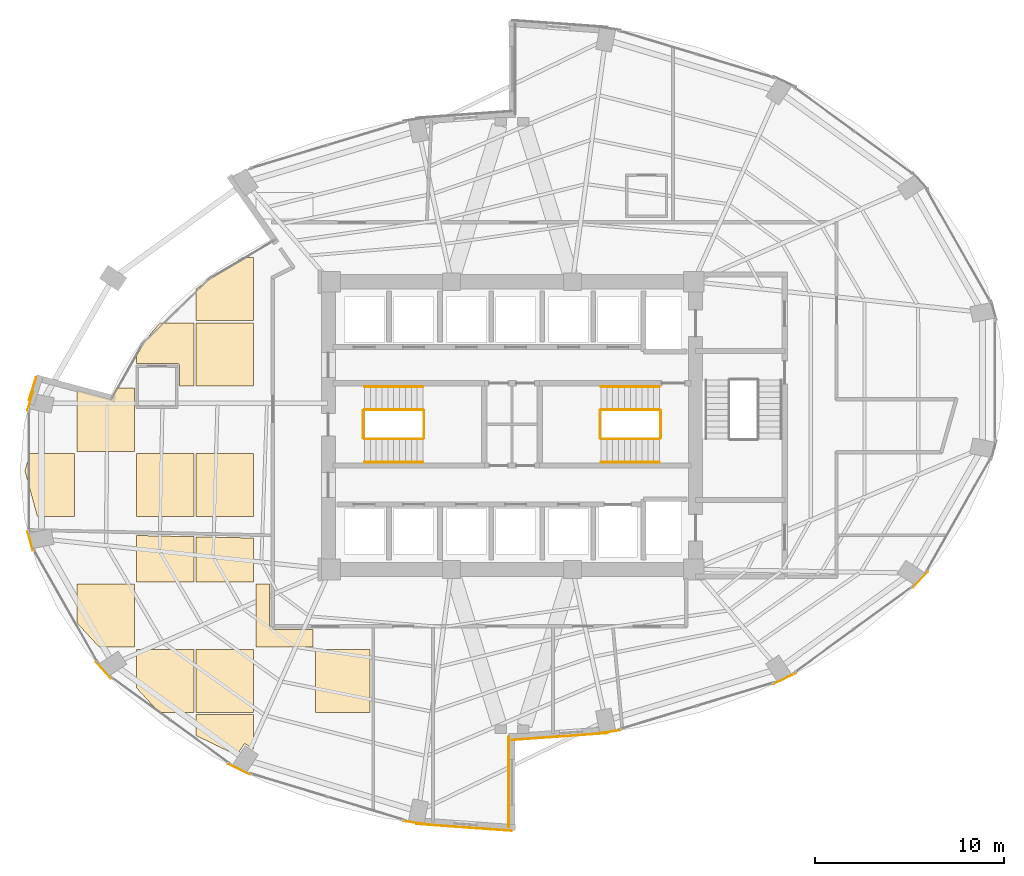
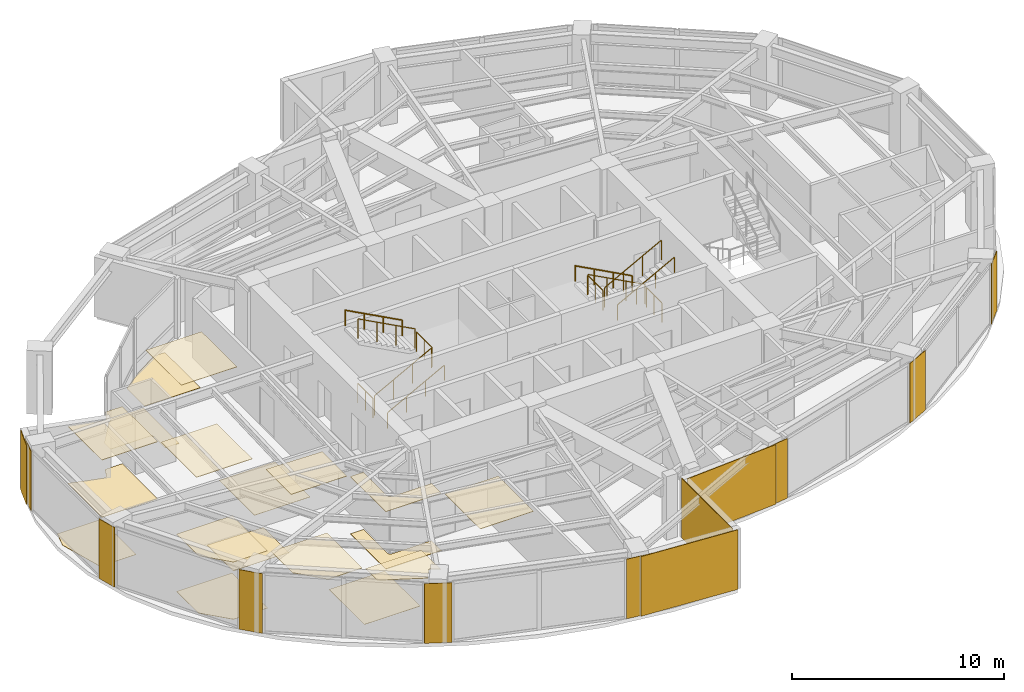
# One storey, part 23 of 24: 30 coverings, 12 railings.
"""IFC4 building model written with IfcOpenShell, lengths in metres."""

from ifc_helpers import new_model, si_unit, direction, frame, origin, origin_2d, place, context, subcontext, project, spatial, polyline, rectangle, circle, outline, extrude, material, layer, layer_set, type_object, element, save


model = new_model("IFC4")

# Units and contexts
model_context = context("Model", 3, precision=1e-05, world=origin(), true_north=direction((0.0, 1.0)))
body_context = subcontext(model_context, "Body", "Model", "MODEL_VIEW")
ifc_project = project(units=[si_unit("LENGTHUNIT", "METRE"), si_unit("AREAUNIT", "SQUARE_METRE"), si_unit("VOLUMEUNIT", "CUBIC_METRE"), si_unit("PLANEANGLEUNIT", "RADIAN"), si_unit("MASSUNIT", "GRAM", prefix="KILO")], contexts=[model_context])

# Site, building, storey
site_placement = place(None, origin())
site = spatial("IfcSite", under=ifc_project, at=site_placement, CompositionType="ELEMENT")
building_placement = place(site_placement, origin())
building = spatial("IfcBuilding", under=site, at=building_placement, Name="Lazwardi Medical Tower", CompositionType="ELEMENT")
storey_placement = place(building_placement, frame((0.0, 0.0, 114.575927734375)))
storey = spatial("IfcBuildingStorey", under=building, at=storey_placement, Name="L29", CompositionType="ELEMENT", Elevation=114.575927734375)

# Coverings
ifc_material_1 = material(Name="Anodised bronze aluminium cassette cladding", Category="aluminium")
ifc_layer_1 = layer(ifc_material_1, 0.030029296875)
ifc_layer_set_1 = layer_set([ifc_layer_1], Name="Anodised bronze aluminium cassette cladding")
covering_type_1 = type_object("IfcCoveringType", Name="COV-CLD-BRZ", PredefinedType="CLADDING", material=ifc_layer_set_1)
covering_1_placement = place(storey_placement, frame((41.064208984375, 11.80322265625, 0.0), z_axis=(0.0, 0.0, 1.0), x_axis=(0.989609019093, 0.143784523955, 0.0)))
element("IfcCovering", 1, at=covering_1_placement, inside=storey, type_object=covering_type_1, Name="L29 Mega-column bronze cassette cover M01", PredefinedType="CLADDING", context=body_context, shape_type="SweptSolid", body=[
    extrude(rectangle(XDim=1.392333984375, YDim=0.030029296875, at=origin_2d()), origin(), (0.0, 0.0, 1.0), 3.427978515625),
])
covering_2_placement = place(storey_placement, frame((50.421875, 14.634521484375, 0.0), z_axis=(0.0, 0.0, 1.0), x_axis=(0.898679250201, 0.438606435495, 0.0)))
element("IfcCovering", 2, at=covering_2_placement, inside=storey, type_object=covering_type_1, Name="L29 Mega-column bronze cassette cover M02", PredefinedType="CLADDING", context=body_context, shape_type="SweptSolid", body=[
    extrude(rectangle(XDim=1.2998046875, YDim=0.030029296875, at=origin_2d()), origin(), (0.0, 0.0, 1.0), 3.427978515625),
])
covering_3_placement = place(storey_placement, frame((57.583740234375, 19.86572265625, 0.0), z_axis=(0.0, 0.0, 1.0), x_axis=(0.674925949214, 0.737885467453, 0.0)))
element("IfcCovering", 3, at=covering_3_placement, inside=storey, type_object=covering_type_1, Name="L29 Mega-column bronze cassette cover M03", PredefinedType="CLADDING", context=body_context, shape_type="SweptSolid", body=[
    extrude(rectangle(XDim=1.15625, YDim=0.030029296875, at=origin_2d()), origin(), (0.0, 0.0, 1.0), 3.427978515625),
])
for number, where, z_axis, x_axis, name in (
    (4, (10.540283203125, 29.299072265625, 0.0), (0.0, 0.0, 1.0), (-0.262696108164, -0.964878621774, 0.0), "L29 Mega-column bronze cassette cover M12"),
    (5, (10.540283203125, 21.90087890625, 0.0), (0.0, 0.0, 1.0), (0.262696108164, -0.964878621774, 0.0), "L29 Mega-column bronze cassette cover M13"),
):
    element("IfcCovering", number, at=place(storey_placement, frame(where, z_axis=z_axis, x_axis=x_axis)), inside=storey, type_object=covering_type_1, Name=name, PredefinedType="CLADDING", context=body_context, shape_type="SweptSolid", body=[
        extrude(rectangle(XDim=1.04296875, YDim=0.030029296875, at=origin_2d()), origin(), (0.0, 0.0, 1.0), 3.427978515625),
    ])
covering_4_placement = place(storey_placement, frame((14.416259765625, 15.06591796875, 0.0), z_axis=(0.0, 0.0, 1.0), x_axis=(0.674925949214, -0.737885467453, 0.0)))
element("IfcCovering", 6, at=covering_4_placement, inside=storey, type_object=covering_type_1, Name="L29 Mega-column bronze cassette cover M14", PredefinedType="CLADDING", context=body_context, shape_type="SweptSolid", body=[
    extrude(rectangle(XDim=1.15625, YDim=0.030029296875, at=origin_2d()), origin(), (0.0, 0.0, 1.0), 3.427978515625),
])
covering_5_placement = place(storey_placement, frame((21.578125, 9.83447265625, 0.0), z_axis=(0.0, 0.0, 1.0), x_axis=(0.898679250201, -0.438606435495, 0.0)))
element("IfcCovering", 7, at=covering_5_placement, inside=storey, type_object=covering_type_1, Name="L29 Mega-column bronze cassette cover M15", PredefinedType="CLADDING", context=body_context, shape_type="SweptSolid", body=[
    extrude(rectangle(XDim=1.2998046875, YDim=0.030029296875, at=origin_2d()), origin(), (0.0, 0.0, 1.0), 3.427978515625),
])
covering_6_placement = place(storey_placement, frame((30.935791015625, 7.00341796875, 0.0), z_axis=(0.0, 0.0, 1.0), x_axis=(0.989609019093, -0.143784523955, 0.0)))
element("IfcCovering", 8, at=covering_6_placement, inside=storey, type_object=covering_type_1, Name="L29 Mega-column bronze cassette cover M16", PredefinedType="CLADDING", context=body_context, shape_type="SweptSolid", body=[
    extrude(rectangle(XDim=1.392333984375, YDim=0.030029296875, at=origin_2d()), origin(), (0.0, 0.0, 1.0), 3.427978515625),
])
ifc_material_2 = material(Name="Turquoise glazed ceramic tilework cladding", Category="masonry")
ifc_layer_2 = layer(ifc_material_2, 0.034912109375)
ifc_layer_set_2 = layer_set([ifc_layer_2], Name="Turquoise glazed ceramic tilework cladding")
covering_type_2 = type_object("IfcCoveringType", Name="COV-CLD-TRQ", PredefinedType="CLADDING", material=ifc_layer_set_2)
covering_7_placement = place(storey_placement, frame((38.533203125, 11.56591796875, 0.0), z_axis=(0.0, 0.0, 1.0), x_axis=(0.997431665415, 0.07162452672, 0.0)))
element("IfcCovering", 9, at=covering_7_placement, inside=storey, type_object=covering_type_2, Name="L29 Turquoise glazed ceramic tilework cladding", PredefinedType="CLADDING", context=body_context, shape_type="SweptSolid", body=[
    extrude(rectangle(XDim=5.05419921875, YDim=0.034912109375, at=origin_2d()), origin(), (0.0, 0.0, 1.0), 3.427978515625),
])
covering_8_placement = place(storey_placement, frame((33.466552734375, 6.76611328125, 0.0), z_axis=(0.0, 0.0, 1.0), x_axis=(0.997431165357, -0.071631490105, 0.0)))
element("IfcCovering", 10, at=covering_8_placement, inside=storey, type_object=covering_type_2, Name="L29 Turquoise glazed ceramic tilework cladding", PredefinedType="CLADDING", context=body_context, shape_type="SweptSolid", body=[
    extrude(rectangle(XDim=5.0537109375, YDim=0.034912109375, at=origin_2d()), origin(), (0.0, 0.0, 1.0), 3.427978515625),
])
covering_9_placement = place(storey_placement, frame((35.824462890625, 9.159912109375, 0.0), z_axis=(0.0, 0.0, 1.0), x_axis=(0.0, 1.0, 0.0)))
element("IfcCovering", 11, at=covering_9_placement, inside=storey, type_object=covering_type_2, Name="L29 Turquoise glazed ceramic tilework iwan panel", PredefinedType="CLADDING", context=body_context, shape_type="SweptSolid", body=[
    extrude(rectangle(XDim=4.800048828125, YDim=0.034912109375, at=origin_2d()), origin(), (0.0, 0.0, 1.0), 3.427978515625),
])
covering_10_placement = place(storey_placement, frame((10.661865234375, 29.933837890625, 0.0), z_axis=(0.0, 0.0, 1.0), x_axis=(-0.304555105539, -0.952494717933, 0.0)))
element("IfcCovering", 12, at=covering_10_placement, inside=storey, type_object=covering_type_2, Name="L29 Turquoise glazed ceramic tilework cladding", PredefinedType="CLADDING", context=body_context, shape_type="SweptSolid", body=[
    extrude(rectangle(XDim=1.26171875, YDim=0.034912109375, at=origin_2d()), origin(), (0.0, 0.0, 1.0), 3.427978515625),
])
ifc_material_3 = material(Name="Acoustic mineral fibre tile")
ifc_layer_3 = layer(ifc_material_3, 0.02490234375)
ifc_layer_set_3 = layer_set([ifc_layer_3], Name="Acoustic mineral fibre tile")
covering_type_3 = type_object("IfcCoveringType", Name="COV-CLG-01", PredefinedType="CEILING", material=ifc_layer_set_3)
covering_11_placement = place(storey_placement, frame((0.0, 0.0, 3.282958984375)))
element("IfcCovering", 13, at=covering_11_placement, inside=storey, type_object=covering_type_3, Name="L29 Clinical Acoustic Ceiling 1", PredefinedType="CEILING", context=body_context, shape_type="SweptSolid", body=[
    extrude(outline(polyline([(13.012939453125, 17.56982421875), (14.18408203125, 16.29248046875), (16.04296875, 16.29248046875), (16.04296875, 19.622314453125), (13.012939453125, 19.622314453125), (13.012939453125, 17.56982421875)])), origin(), (0.0, 0.0, 1.0), 0.025146484375),
])
covering_12_placement = place(storey_placement, frame((0.0, 0.0, 3.282958984375)))
element("IfcCovering", 14, at=covering_12_placement, inside=storey, type_object=covering_type_3, Name="L29 Clinical Acoustic Ceiling 2", PredefinedType="CEILING", context=body_context, shape_type="SweptSolid", body=[
    extrude(outline(polyline([(16.04296875, 28.943359375), (16.0419921875, 28.949951171875), (16.041259765625, 28.956787109375), (16.040771484375, 28.963623046875), (16.040771484375, 28.968505859375), (16.040771484375, 29.972412109375), (15.108154296875, 29.972412109375), (14.86083984375, 29.438232421875), (14.857177734375, 29.43115234375), (14.852783203125, 29.424560546875), (14.84765625, 29.41845703125), (14.842041015625, 29.41259765625), (14.8359375, 29.40771484375), (14.829345703125, 29.4033203125), (14.822265625, 29.3994140625), (14.814697265625, 29.396484375), (14.80712890625, 29.394287109375), (14.79931640625, 29.392578125), (14.791259765625, 29.39208984375), (14.783203125, 29.39208984375), (14.775390625, 29.392822265625), (14.767578125, 29.39453125), (13.012939453125, 29.86474609375), (13.012939453125, 26.642333984375), (16.04296875, 26.642333984375), (16.04296875, 28.943359375)])), origin(), (0.0, 0.0, 1.0), 0.025146484375),
])
covering_13_placement = place(storey_placement, frame((0.0, 0.0, 3.282958984375)))
element("IfcCovering", 15, at=covering_13_placement, inside=storey, type_object=covering_type_3, Name="L29 Clinical Acoustic Ceiling 3", PredefinedType="CEILING", context=body_context, shape_type="SweptSolid", body=[
    extrude(outline(polyline([(16.162841796875, 14.1337890625), (17.3466796875, 12.84228515625), (19.19287109375, 12.84228515625), (19.19287109375, 16.17236328125), (16.162841796875, 16.17236328125), (16.162841796875, 14.1337890625)])), origin(), (0.0, 0.0, 1.0), 0.025146484375),
])
covering_14_placement = place(storey_placement, frame((0.0, 0.0, 3.282958984375)))
element("IfcCovering", 16, at=covering_14_placement, inside=storey, type_object=covering_type_3, Name="L29 Clinical Acoustic Ceiling 4", PredefinedType="CEILING", context=body_context, shape_type="SweptSolid", body=[
    extrude(outline(polyline([(19.19287109375, 23.1923828125), (19.19287109375, 26.5224609375), (16.162841796875, 26.5224609375), (16.162841796875, 23.1923828125), (19.19287109375, 23.1923828125)])), origin(), (0.0, 0.0, 1.0), 0.025146484375),
])
covering_15_placement = place(storey_placement, frame((0.0, 0.0, 3.282958984375)))
element("IfcCovering", 17, at=covering_15_placement, inside=storey, type_object=covering_type_3, Name="L29 Clinical Acoustic Ceiling 5", PredefinedType="CEILING", context=body_context, shape_type="SweptSolid", body=[
    extrude(outline(polyline([(19.31298828125, 11.616455078125), (21.447509765625, 10.576904296875), (21.828369140625, 11.14697265625), (21.8330078125, 11.1533203125), (21.83837890625, 11.1591796875), (21.843994140625, 11.164306640625), (21.8505859375, 11.1689453125), (21.857177734375, 11.173095703125), (21.8642578125, 11.176513671875), (21.87158203125, 11.17919921875), (21.87939453125, 11.180908203125), (21.88720703125, 11.18212890625), (21.89501953125, 11.1826171875), (21.902587890625, 11.18212890625), (21.910400390625, 11.180908203125), (21.918212890625, 11.17919921875), (21.925537109375, 11.176513671875), (21.9326171875, 11.173095703125), (21.939208984375, 11.1689453125), (22.343017578125, 10.8994140625), (22.343017578125, 12.722412109375), (19.31298828125, 12.722412109375), (19.31298828125, 11.616455078125)])), origin(), (0.0, 0.0, 1.0), 0.025146484375),
])
covering_16_placement = place(storey_placement, frame((0.0, 0.0, 3.282958984375)))
element("IfcCovering", 18, at=covering_16_placement, inside=storey, type_object=covering_type_3, Name="L29 Clinical Acoustic Ceiling 6", PredefinedType="CEILING", context=body_context, shape_type="SweptSolid", body=[
    extrude(outline(polyline([(22.343017578125, 22.056396484375), (19.31298828125, 22.1220703125), (19.31298828125, 19.742431640625), (22.343017578125, 19.742431640625), (22.343017578125, 22.056396484375)])), origin(), (0.0, 0.0, 1.0), 0.025146484375),
])
covering_17_placement = place(storey_placement, frame((0.0, 0.0, 3.282958984375)))
element("IfcCovering", 19, at=covering_17_placement, inside=storey, type_object=covering_type_3, Name="L29 Clinical Acoustic Ceiling 7", PredefinedType="CEILING", context=body_context, shape_type="SweptSolid", body=[
    extrude(outline(polyline([(22.343017578125, 30.09228515625), (22.343017578125, 33.42236328125), (19.31298828125, 33.42236328125), (19.31298828125, 30.09228515625), (22.343017578125, 30.09228515625)])), origin(), (0.0, 0.0, 1.0), 0.025146484375),
])
covering_18_placement = place(storey_placement, frame((0.0, 0.0, 3.282958984375)))
element("IfcCovering", 20, at=covering_18_placement, inside=storey, type_object=covering_type_3, Name="L29 Clinical Acoustic Ceiling 8", PredefinedType="CEILING", context=body_context, shape_type="SweptSolid", body=[
    extrude(outline(polyline([(25.492919921875, 17.22509765625), (23.35009765625, 17.22509765625), (23.345703125, 17.22509765625), (23.33642578125, 17.2255859375), (23.32958984375, 17.226318359375), (23.3203125, 17.2275390625), (23.31201171875, 17.229248046875), (23.302734375, 17.2314453125), (23.2958984375, 17.233642578125), (23.287109375, 17.23681640625), (23.279296875, 17.239990234375), (23.270751953125, 17.243896484375), (23.263916015625, 17.24755859375), (23.256103515625, 17.25244140625), (23.249267578125, 17.2568359375), (23.24169921875, 17.262451171875), (23.236083984375, 17.26708984375), (23.229248046875, 17.273193359375), (23.223388671875, 17.279296875), (23.217041015625, 17.2861328125), (23.21240234375, 17.291748046875), (23.206787109375, 17.29931640625), (23.202392578125, 17.305908203125), (23.197509765625, 17.31396484375), (23.194091796875, 17.32080078125), (23.18994140625, 17.3291015625), (23.186767578125, 17.3369140625), (23.18359375, 17.345703125), (23.181396484375, 17.352783203125), (23.17919921875, 17.36181640625), (23.177490234375, 17.370361328125), (23.17626953125, 17.37939453125), (23.175537109375, 17.386474609375), (23.175048828125, 17.395751953125), (23.175048828125, 17.39990234375), (23.175048828125, 19.622314453125), (22.462890625, 19.622314453125), (22.462890625, 16.29248046875), (25.492919921875, 16.29248046875), (25.492919921875, 17.22509765625)])), origin(), (0.0, 0.0, 1.0), 0.025146484375),
])
covering_19_placement = place(storey_placement, frame((0.0, 0.0, 3.282958984375)))
element("IfcCovering", 21, at=covering_19_placement, inside=storey, type_object=covering_type_3, Name="L29 Clinical Acoustic Ceiling 10", PredefinedType="CEILING", context=body_context, shape_type="SweptSolid", body=[
    extrude(outline(polyline([(28.5048828125, 12.84228515625), (28.5048828125, 16.17236328125), (25.61279296875, 16.17236328125), (25.61279296875, 12.84228515625), (28.5048828125, 12.84228515625)])), origin(), (0.0, 0.0, 1.0), 0.025146484375),
])
ifc_material_4 = material(Name="Anti-static hospital vinyl sheet flooring")
ifc_layer_4 = layer(ifc_material_4, 0.014892578125)
ifc_layer_set_4 = layer_set([ifc_layer_4], Name="Anti-static hospital vinyl sheet flooring")
covering_type_4 = type_object("IfcCoveringType", Name="COV-FLR-01", PredefinedType="FLOORING", material=ifc_layer_set_4)
covering_20_placement = place(storey_placement, origin())
element("IfcCovering", 22, at=covering_20_placement, inside=storey, type_object=covering_type_4, Name="L29 Clinical Vinyl Flooring 1", PredefinedType="FLOORING", context=body_context, shape_type="SweptSolid", body=[
    extrude(outline(polyline([(10.5146484375, 26.5224609375), (10.262939453125, 25.60009765625), (10.919921875, 23.1923828125), (12.892822265625, 23.1923828125), (12.892822265625, 26.5224609375), (10.5146484375, 26.5224609375)])), origin(), (0.0, 0.0, 1.0), 0.01513671875),
])
covering_21_placement = place(storey_placement, origin())
element("IfcCovering", 23, at=covering_21_placement, inside=storey, type_object=covering_type_4, Name="L29 Clinical Vinyl Flooring 2", PredefinedType="FLOORING", context=body_context, shape_type="SweptSolid", body=[
    extrude(outline(polyline([(13.012939453125, 17.56982421875), (14.18408203125, 16.29248046875), (16.04296875, 16.29248046875), (16.04296875, 19.622314453125), (13.012939453125, 19.622314453125), (13.012939453125, 17.56982421875)])), origin(), (0.0, 0.0, 1.0), 0.01513671875),
])
covering_22_placement = place(storey_placement, origin())
element("IfcCovering", 24, at=covering_22_placement, inside=storey, type_object=covering_type_4, Name="L29 Clinical Vinyl Flooring 3", PredefinedType="FLOORING", context=body_context, shape_type="SweptSolid", body=[
    extrude(outline(polyline([(16.04296875, 28.943359375), (16.0419921875, 28.949951171875), (16.041259765625, 28.956787109375), (16.040771484375, 28.963623046875), (16.040771484375, 28.968505859375), (16.040771484375, 29.972412109375), (15.108154296875, 29.972412109375), (14.86083984375, 29.438232421875), (14.857177734375, 29.43115234375), (14.852783203125, 29.424560546875), (14.84765625, 29.41845703125), (14.842041015625, 29.41259765625), (14.8359375, 29.40771484375), (14.829345703125, 29.4033203125), (14.822265625, 29.3994140625), (14.814697265625, 29.396484375), (14.80712890625, 29.394287109375), (14.79931640625, 29.392578125), (14.791259765625, 29.39208984375), (14.783203125, 29.39208984375), (14.775390625, 29.392822265625), (14.767578125, 29.39453125), (13.012939453125, 29.86474609375), (13.012939453125, 26.642333984375), (16.04296875, 26.642333984375), (16.04296875, 28.943359375)])), origin(), (0.0, 0.0, 1.0), 0.01513671875),
])
covering_23_placement = place(storey_placement, origin())
element("IfcCovering", 25, at=covering_23_placement, inside=storey, type_object=covering_type_4, Name="L29 Clinical Vinyl Flooring 4", PredefinedType="FLOORING", context=body_context, shape_type="SweptSolid", body=[
    extrude(outline(polyline([(19.19287109375, 22.124755859375), (16.162841796875, 22.1904296875), (16.162841796875, 19.742431640625), (19.19287109375, 19.742431640625), (19.19287109375, 22.124755859375)])), origin(), (0.0, 0.0, 1.0), 0.01513671875),
])
covering_24_placement = place(storey_placement, origin())
element("IfcCovering", 26, at=covering_24_placement, inside=storey, type_object=covering_type_4, Name="L29 Clinical Vinyl Flooring 5", PredefinedType="FLOORING", context=body_context, shape_type="SweptSolid", body=[
    extrude(outline(polyline([(17.411865234375, 33.42236328125), (17.043212890625, 33.0283203125), (16.16357421875, 31.877197265625), (16.162841796875, 31.8759765625), (16.162841796875, 31.275634765625), (16.16552734375, 31.276123046875), (16.17236328125, 31.277099609375), (16.180419921875, 31.278076171875), (16.187255859375, 31.2783203125), (16.190673828125, 31.2783203125), (18.290771484375, 31.2783203125), (18.294189453125, 31.2783203125), (18.301025390625, 31.278076171875), (18.30908203125, 31.277099609375), (18.31591796875, 31.276123046875), (18.324462890625, 31.274658203125), (18.3310546875, 31.27294921875), (18.337646484375, 31.270751953125), (18.34423828125, 31.2685546875), (18.351318359375, 31.265625), (18.357666015625, 31.2626953125), (18.365478515625, 31.258544921875), (18.371337890625, 31.2548828125), (18.37744140625, 31.250732421875), (18.3828125, 31.24658203125), (18.388671875, 31.241943359375), (18.393798828125, 31.2373046875), (18.399658203125, 31.2314453125), (18.404296875, 31.226318359375), (18.408935546875, 31.220703125), (18.4130859375, 31.215087890625), (18.417236328125, 31.208984375), (18.4208984375, 31.203125), (18.425048828125, 31.1953125), (18.427978515625, 31.189208984375), (18.430908203125, 31.181884765625), (18.43310546875, 31.17529296875), (18.435302734375, 31.168701171875), (18.43701171875, 31.162109375), (18.4384765625, 31.15380859375), (18.439453125, 31.14697265625), (18.440185546875, 31.138916015625), (18.440673828125, 31.1318359375), (18.440673828125, 31.12841796875), (18.440673828125, 30.09228515625), (19.19287109375, 30.09228515625), (19.19287109375, 33.42236328125), (17.411865234375, 33.42236328125)])), origin(), (0.0, 0.0, 1.0), 0.01513671875),
])
covering_25_placement = place(storey_placement, origin())
element("IfcCovering", 27, at=covering_25_placement, inside=storey, type_object=covering_type_4, Name="L29 Clinical Vinyl Flooring 6", PredefinedType="FLOORING", context=body_context, shape_type="SweptSolid", body=[
    extrude(outline(polyline([(22.343017578125, 12.84228515625), (22.343017578125, 16.17236328125), (19.31298828125, 16.17236328125), (19.31298828125, 12.84228515625), (22.343017578125, 12.84228515625)])), origin(), (0.0, 0.0, 1.0), 0.01513671875),
])
covering_26_placement = place(storey_placement, origin())
element("IfcCovering", 28, at=covering_26_placement, inside=storey, type_object=covering_type_4, Name="L29 Clinical Vinyl Flooring 7", PredefinedType="FLOORING", context=body_context, shape_type="SweptSolid", body=[
    extrude(outline(polyline([(22.343017578125, 23.1923828125), (22.343017578125, 26.5224609375), (19.31298828125, 26.5224609375), (19.31298828125, 23.1923828125), (22.343017578125, 23.1923828125)])), origin(), (0.0, 0.0, 1.0), 0.01513671875),
])
covering_27_placement = place(storey_placement, origin())
element("IfcCovering", 29, at=covering_27_placement, inside=storey, type_object=covering_type_4, Name="L29 Clinical Vinyl Flooring 8", PredefinedType="FLOORING", context=body_context, shape_type="SweptSolid", body=[
    extrude(outline(polyline([(21.735107421875, 36.872314453125), (20.51708984375, 36.1123046875), (19.31298828125, 35.216796875), (19.31298828125, 33.54248046875), (22.343017578125, 33.54248046875), (22.343017578125, 36.872314453125), (21.735107421875, 36.872314453125)])), origin(), (0.0, 0.0, 1.0), 0.01513671875),
])
covering_28_placement = place(storey_placement, origin())
element("IfcCovering", 30, at=covering_28_placement, inside=storey, type_object=covering_type_4, Name="L29 Clinical Vinyl Flooring 9", PredefinedType="FLOORING", context=body_context, shape_type="SweptSolid", body=[
    extrude(outline(polyline([(25.492919921875, 17.22509765625), (23.35009765625, 17.22509765625), (23.345703125, 17.22509765625), (23.33642578125, 17.2255859375), (23.32958984375, 17.226318359375), (23.3203125, 17.2275390625), (23.31201171875, 17.229248046875), (23.302734375, 17.2314453125), (23.2958984375, 17.233642578125), (23.287109375, 17.23681640625), (23.279296875, 17.239990234375), (23.270751953125, 17.243896484375), (23.263916015625, 17.24755859375), (23.256103515625, 17.25244140625), (23.249267578125, 17.2568359375), (23.24169921875, 17.262451171875), (23.236083984375, 17.26708984375), (23.229248046875, 17.273193359375), (23.223388671875, 17.279296875), (23.217041015625, 17.2861328125), (23.21240234375, 17.291748046875), (23.206787109375, 17.29931640625), (23.202392578125, 17.305908203125), (23.197509765625, 17.31396484375), (23.194091796875, 17.32080078125), (23.18994140625, 17.3291015625), (23.186767578125, 17.3369140625), (23.18359375, 17.345703125), (23.181396484375, 17.352783203125), (23.17919921875, 17.36181640625), (23.177490234375, 17.370361328125), (23.17626953125, 17.37939453125), (23.175537109375, 17.386474609375), (23.175048828125, 17.395751953125), (23.175048828125, 17.39990234375), (23.175048828125, 19.622314453125), (22.462890625, 19.622314453125), (22.462890625, 16.29248046875), (25.492919921875, 16.29248046875), (25.492919921875, 17.22509765625)])), origin(), (0.0, 0.0, 1.0), 0.01513671875),
])

# Railings
ifc_material_5 = material(Name="Stainless steel Grade 316", Category="steel")
railing_type_1 = type_object("IfcRailingType", Name="RLG-GRD-1150", PredefinedType="GUARDRAIL", material=ifc_material_5)
railing_1_placement = place(storey_placement, frame((28.199951171875, 27.2900390625, 0.165771484375)))
element("IfcRailing", 31, at=railing_1_placement, inside=storey, type_object=railing_type_1, Name="L29 ST1 stair guard 1", PredefinedType="GUARDRAIL", context=body_context, shape_type="SweptSolid", body=[
    extrude(circle(Radius=0.02392578125, at=origin_2d()), frame((0.0, 0.0, 1.1259765625), z_axis=(0.881783298633, 0.0, 0.471654761719), x_axis=(0.0, 1.0, 0.0)), (0.0, 0.0, 1.0), 3.515625),
    extrude(circle(Radius=0.02099609375, at=origin_2d()), origin(), (0.0, 0.0, 1.0), 1.099853515625),
    extrude(circle(Radius=0.02099609375, at=origin_2d()), frame((1.033447265625, 0.0, 0.552734375)), (0.0, 0.0, 1.0), 1.099853515625),
    extrude(circle(Radius=0.02099609375, at=origin_2d()), frame((2.066650390625, 0.0, 1.10546875)), (0.0, 0.0, 1.0), 1.099853515625),
    extrude(circle(Radius=0.02099609375, at=origin_2d()), frame((3.10009765625, 0.0, 1.658203125)), (0.0, 0.0, 1.0), 1.099853515625),
])
railing_2_placement = place(storey_placement, frame((31.35009765625, 27.340087890625, 1.823974609375)))
element("IfcRailing", 32, at=railing_2_placement, inside=storey, type_object=railing_type_1, Name="L29 ST1 stair guard 2", PredefinedType="GUARDRAIL", context=body_context, shape_type="SweptSolid", body=[
    extrude(circle(Radius=0.02392578125, at=origin_2d()), frame((0.0, 0.0, 1.1259765625), z_axis=(0.0, 1.0, 0.0), x_axis=(-1.0, 0.0, 0.0)), (0.0, 0.0, 1.0), 1.43994140625),
    extrude(circle(Radius=0.02099609375, at=origin_2d()), origin(), (0.0, 0.0, 1.0), 1.099853515625),
    extrude(circle(Radius=0.02099609375, at=origin_2d()), frame((0.0, 0.719970703125, 0.0)), (0.0, 0.0, 1.0), 1.099853515625),
    extrude(circle(Radius=0.02099609375, at=origin_2d()), frame((0.0, 1.43994140625, 0.0)), (0.0, 0.0, 1.0), 1.099853515625),
])
railing_3_placement = place(storey_placement, frame((31.300048828125, 28.830078125, 1.989990234375)))
element("IfcRailing", 33, at=railing_3_placement, inside=storey, type_object=railing_type_1, Name="L29 ST1 stair guard 3", PredefinedType="GUARDRAIL", context=body_context, shape_type="SweptSolid", body=[
    extrude(circle(Radius=0.02392578125, at=origin_2d()), frame((0.0, 0.0, 1.1259765625), z_axis=(-0.881783298633, 0.0, 0.471654761719), x_axis=(0.0, -1.0, 0.0)), (0.0, 0.0, 1.0), 3.515625),
    extrude(circle(Radius=0.02099609375, at=origin_2d()), origin(), (0.0, 0.0, 1.0), 1.099853515625),
    extrude(circle(Radius=0.02099609375, at=origin_2d()), frame((-1.033447265625, 0.0, 0.552734375)), (0.0, 0.0, 1.0), 1.099853515625),
    extrude(circle(Radius=0.02099609375, at=origin_2d()), frame((-2.066650390625, 0.0, 1.10546875)), (0.0, 0.0, 1.0), 1.099853515625),
    extrude(circle(Radius=0.02099609375, at=origin_2d()), frame((-3.10009765625, 0.0, 1.658203125)), (0.0, 0.0, 1.0), 1.099853515625),
])
railing_4_placement = place(storey_placement, frame((28.14990234375, 27.340087890625, 0.0)))
element("IfcRailing", 34, at=railing_4_placement, inside=storey, type_object=railing_type_1, Name="L29 ST1 stair guard 4", PredefinedType="GUARDRAIL", context=body_context, shape_type="SweptSolid", body=[
    extrude(circle(Radius=0.02392578125, at=origin_2d()), frame((0.0, 0.0, 1.1259765625), z_axis=(0.0, 1.0, 0.0), x_axis=(-1.0, 0.0, 0.0)), (0.0, 0.0, 1.0), 1.43994140625),
    extrude(circle(Radius=0.02099609375, at=origin_2d()), origin(), (0.0, 0.0, 1.0), 1.099853515625),
    extrude(circle(Radius=0.02099609375, at=origin_2d()), frame((0.0, 0.719970703125, 0.0)), (0.0, 0.0, 1.0), 1.099853515625),
    extrude(circle(Radius=0.02099609375, at=origin_2d()), frame((0.0, 1.43994140625, 0.0)), (0.0, 0.0, 1.0), 1.099853515625),
])
railing_5_placement = place(storey_placement, frame((43.800048828125, 28.830078125, 0.165771484375)))
element("IfcRailing", 35, at=railing_5_placement, inside=storey, type_object=railing_type_1, Name="L29 ST2 stair guard 1", PredefinedType="GUARDRAIL", context=body_context, shape_type="SweptSolid", body=[
    extrude(circle(Radius=0.02392578125, at=origin_2d()), frame((0.0, 0.0, 1.1259765625), z_axis=(-0.881783298633, 0.0, 0.471654761719), x_axis=(0.0, -1.0, 0.0)), (0.0, 0.0, 1.0), 3.515625),
    extrude(circle(Radius=0.02099609375, at=origin_2d()), origin(), (0.0, 0.0, 1.0), 1.099853515625),
    extrude(circle(Radius=0.02099609375, at=origin_2d()), frame((-1.033447265625, 0.0, 0.552734375)), (0.0, 0.0, 1.0), 1.099853515625),
    extrude(circle(Radius=0.02099609375, at=origin_2d()), frame((-2.066650390625, 0.0, 1.10546875)), (0.0, 0.0, 1.0), 1.099853515625),
    extrude(circle(Radius=0.02099609375, at=origin_2d()), frame((-3.10009765625, 0.0, 1.658203125)), (0.0, 0.0, 1.0), 1.099853515625),
])
railing_6_placement = place(storey_placement, frame((40.64990234375, 28.780029296875, 1.823974609375)))
element("IfcRailing", 36, at=railing_6_placement, inside=storey, type_object=railing_type_1, Name="L29 ST2 stair guard 2", PredefinedType="GUARDRAIL", context=body_context, shape_type="SweptSolid", body=[
    extrude(circle(Radius=0.02392578125, at=origin_2d()), frame((0.0, 0.0, 1.1259765625), z_axis=(0.0, -1.0, 0.0), x_axis=(1.0, 0.0, 0.0)), (0.0, 0.0, 1.0), 1.43994140625),
    extrude(circle(Radius=0.02099609375, at=origin_2d()), origin(), (0.0, 0.0, 1.0), 1.099853515625),
    extrude(circle(Radius=0.02099609375, at=origin_2d()), frame((0.0, -0.719970703125, 0.0)), (0.0, 0.0, 1.0), 1.099853515625),
    extrude(circle(Radius=0.02099609375, at=origin_2d()), frame((0.0, -1.43994140625, 0.0)), (0.0, 0.0, 1.0), 1.099853515625),
])
railing_7_placement = place(storey_placement, frame((40.699951171875, 27.2900390625, 1.989990234375)))
element("IfcRailing", 37, at=railing_7_placement, inside=storey, type_object=railing_type_1, Name="L29 ST2 stair guard 3", PredefinedType="GUARDRAIL", context=body_context, shape_type="SweptSolid", body=[
    extrude(circle(Radius=0.02392578125, at=origin_2d()), frame((0.0, 0.0, 1.1259765625), z_axis=(0.881783298633, 0.0, 0.471654761719), x_axis=(0.0, 1.0, 0.0)), (0.0, 0.0, 1.0), 3.515625),
    extrude(circle(Radius=0.02099609375, at=origin_2d()), origin(), (0.0, 0.0, 1.0), 1.099853515625),
    extrude(circle(Radius=0.02099609375, at=origin_2d()), frame((1.033447265625, 0.0, 0.552734375)), (0.0, 0.0, 1.0), 1.099853515625),
    extrude(circle(Radius=0.02099609375, at=origin_2d()), frame((2.066650390625, 0.0, 1.10546875)), (0.0, 0.0, 1.0), 1.099853515625),
    extrude(circle(Radius=0.02099609375, at=origin_2d()), frame((3.10009765625, 0.0, 1.658203125)), (0.0, 0.0, 1.0), 1.099853515625),
])
railing_8_placement = place(storey_placement, frame((43.85009765625, 28.780029296875, 0.0)))
element("IfcRailing", 38, at=railing_8_placement, inside=storey, type_object=railing_type_1, Name="L29 ST2 stair guard 4", PredefinedType="GUARDRAIL", context=body_context, shape_type="SweptSolid", body=[
    extrude(circle(Radius=0.02392578125, at=origin_2d()), frame((0.0, 0.0, 1.1259765625), z_axis=(0.0, -1.0, 0.0), x_axis=(1.0, 0.0, 0.0)), (0.0, 0.0, 1.0), 1.43994140625),
    extrude(circle(Radius=0.02099609375, at=origin_2d()), origin(), (0.0, 0.0, 1.0), 1.099853515625),
    extrude(circle(Radius=0.02099609375, at=origin_2d()), frame((0.0, -0.719970703125, 0.0)), (0.0, 0.0, 1.0), 1.099853515625),
    extrude(circle(Radius=0.02099609375, at=origin_2d()), frame((0.0, -1.43994140625, 0.0)), (0.0, 0.0, 1.0), 1.099853515625),
])
railing_type_2 = type_object("IfcRailingType", Name="RLG-HND-920", PredefinedType="HANDRAIL", material=ifc_material_5)
railing_9_placement = place(storey_placement, frame((28.199951171875, 26.070068359375, 0.165771484375)))
element("IfcRailing", 39, at=railing_9_placement, inside=storey, type_object=railing_type_2, Name="L29 ST1 stair handrail 1", PredefinedType="HANDRAIL", context=body_context, shape_type="SweptSolid", body=[
    extrude(circle(Radius=0.02392578125, at=origin_2d()), frame((0.0, 0.0, 0.8857421875), z_axis=(0.881783298633, 0.0, 0.471654761719), x_axis=(0.0, 1.0, 0.0)), (0.0, 0.0, 1.0), 3.515625),
    extrude(circle(Radius=0.02099609375, at=origin_2d()), origin(), (0.0, 0.0, 1.0), 0.85986328125),
    extrude(circle(Radius=0.02099609375, at=origin_2d()), frame((1.033447265625, 0.0, 0.552734375)), (0.0, 0.0, 1.0), 0.85986328125),
    extrude(circle(Radius=0.02099609375, at=origin_2d()), frame((2.066650390625, 0.0, 1.10546875)), (0.0, 0.0, 1.0), 0.85986328125),
    extrude(circle(Radius=0.02099609375, at=origin_2d()), frame((3.10009765625, 0.0, 1.658203125)), (0.0, 0.0, 1.0), 0.85986328125),
])
for number, where, name in (
    (40, (31.300048828125, 30.050048828125, 1.989990234375), "L29 ST1 stair handrail 2"),
    (41, (43.800048828125, 30.050048828125, 0.165771484375), "L29 ST2 stair handrail 1"),
):
    element("IfcRailing", number, at=place(storey_placement, frame(where)), inside=storey, type_object=railing_type_2, Name=name, PredefinedType="HANDRAIL", context=body_context, shape_type="SweptSolid", body=[
        extrude(circle(Radius=0.02392578125, at=origin_2d()), frame((0.0, 0.0, 0.8857421875), z_axis=(-0.881783298633, 0.0, 0.471654761719), x_axis=(0.0, -1.0, 0.0)), (0.0, 0.0, 1.0), 3.515625),
        extrude(circle(Radius=0.02099609375, at=origin_2d()), origin(), (0.0, 0.0, 1.0), 0.85986328125),
        extrude(circle(Radius=0.02099609375, at=origin_2d()), frame((-1.033447265625, 0.0, 0.552734375)), (0.0, 0.0, 1.0), 0.85986328125),
        extrude(circle(Radius=0.02099609375, at=origin_2d()), frame((-2.066650390625, 0.0, 1.10546875)), (0.0, 0.0, 1.0), 0.85986328125),
        extrude(circle(Radius=0.02099609375, at=origin_2d()), frame((-3.10009765625, 0.0, 1.658203125)), (0.0, 0.0, 1.0), 0.85986328125),
    ])
railing_10_placement = place(storey_placement, frame((40.699951171875, 26.070068359375, 1.989990234375)))
element("IfcRailing", 42, at=railing_10_placement, inside=storey, type_object=railing_type_2, Name="L29 ST2 stair handrail 2", PredefinedType="HANDRAIL", context=body_context, shape_type="SweptSolid", body=[
    extrude(circle(Radius=0.02392578125, at=origin_2d()), frame((0.0, 0.0, 0.8857421875), z_axis=(0.881783298633, 0.0, 0.471654761719), x_axis=(0.0, 1.0, 0.0)), (0.0, 0.0, 1.0), 3.515625),
    extrude(circle(Radius=0.02099609375, at=origin_2d()), origin(), (0.0, 0.0, 1.0), 0.85986328125),
    extrude(circle(Radius=0.02099609375, at=origin_2d()), frame((1.033447265625, 0.0, 0.552734375)), (0.0, 0.0, 1.0), 0.85986328125),
    extrude(circle(Radius=0.02099609375, at=origin_2d()), frame((2.066650390625, 0.0, 1.10546875)), (0.0, 0.0, 1.0), 0.85986328125),
    extrude(circle(Radius=0.02099609375, at=origin_2d()), frame((3.10009765625, 0.0, 1.658203125)), (0.0, 0.0, 1.0), 0.85986328125),
])

save(model, "model.ifc")
